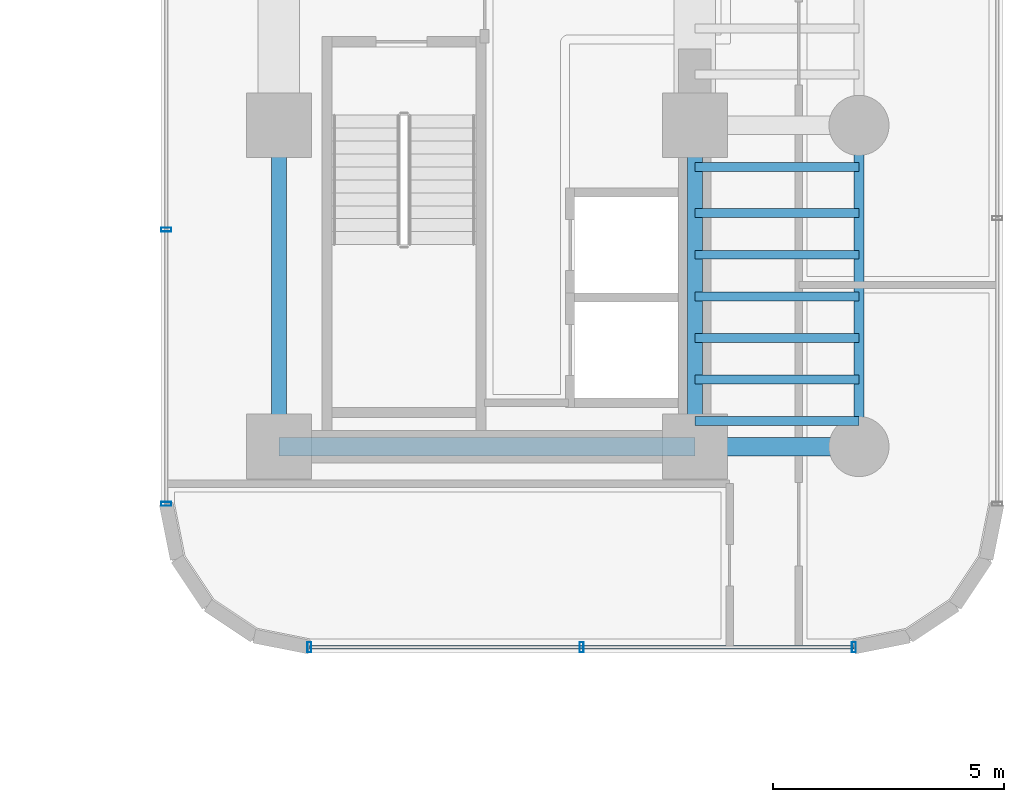
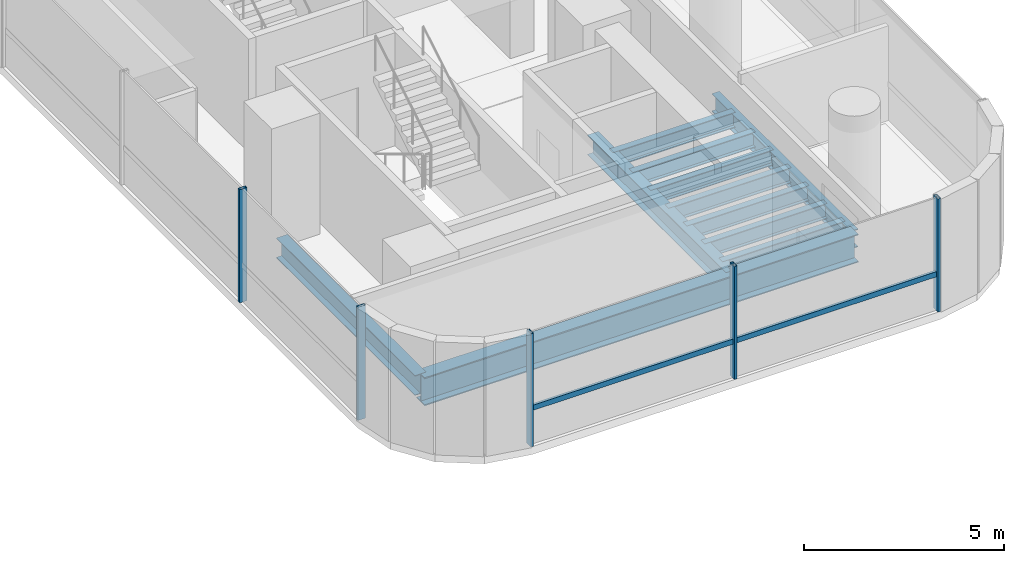
# One storey, part 12 of 39: 12 beams, 6 members, 2 elements without a shape of their own.
"""IFC4 building model written with IfcOpenShell, lengths in metres."""

from ifc_helpers import new_model, si_unit, direction, frame, origin, origin_2d, place, context, subcontext, project, spatial, hollow_rectangle, i_section, extrude, source, transform, mapped, material, material_profile, profile_set, type_object, element, aggregate, save


model = new_model("IFC4")

# Units and contexts
model_context = context("Model", 3, precision=1e-05, world=origin(), true_north=direction((0.0, 1.0)))
body_context = subcontext(model_context, "Body", "Model", "MODEL_VIEW")
ifc_project = project(units=[si_unit("LENGTHUNIT", "METRE"), si_unit("AREAUNIT", "SQUARE_METRE"), si_unit("VOLUMEUNIT", "CUBIC_METRE"), si_unit("PLANEANGLEUNIT", "RADIAN"), si_unit("MASSUNIT", "GRAM", prefix="KILO")], contexts=[model_context])

# Site, building, storey
site_placement = place(None, origin())
site = spatial("IfcSite", under=ifc_project, at=site_placement, CompositionType="ELEMENT")
building_placement = place(site_placement, origin())
building = spatial("IfcBuilding", under=site, at=building_placement, Name="Valdorenza Pilgrim Sanctuary Tower", CompositionType="ELEMENT")
storey_placement = place(building_placement, frame((0.0, 0.0, 77.800048828125)))
storey = spatial("IfcBuildingStorey", under=building, at=storey_placement, Name="L19", CompositionType="ELEMENT", Elevation=77.800048828125)

# Beams
ifc_material_1 = material(Name="Steel ASTM A992 Grade 50", Category="steel")
ifc_material_profile_1 = material_profile(ifc_material_1, i_section(OverallWidth=0.323974609375, OverallDepth=0.611083984375, WebThickness=0.0126953125, FlangeThickness=0.01904296875, at=origin_2d()), Name="W24X104")
ifc_profile_set_1 = profile_set([ifc_material_profile_1], Name="Steel ASTM A992 Grade 50")
beam_type_1 = type_object("IfcBeamType", Name="STR-BM-GRD-W24B", PredefinedType="BEAM", material=ifc_profile_set_1)
shared_shape_1 = source(origin(), body_context, "Body", "SweptSolid", [
    extrude(i_section(OverallWidth=0.323974609375, OverallDepth=0.611083984375, WebThickness=0.0126953125, FlangeThickness=0.01904296875, at=origin_2d()), origin(), (0.0, 0.0, 1.0), 6.949951171875),
])
for number, where, z_axis, x_axis, name in (
    (1, (15.85009765625, -9.550048828125, -0.545654296875), (0.0, 1.0, 0.0), (-1.0, 0.0, 0.0), "L19 Core Tie Girder CB-W-S1M0"),
    (2, (24.85009765625, -9.550048828125, -0.545654296875), (0.0, 1.0, 0.0), (-1.0, 0.0, 0.0), "L19 Core Tie Girder CB-E-S1M0"),
):
    element("IfcBeam", number, at=place(storey_placement, frame(where, z_axis=z_axis, x_axis=x_axis)), inside=storey, type_object=beam_type_1, Name=name, PredefinedType="BEAM", context=body_context, shape_type="MappedRepresentation", body=[
        mapped(shared_shape_1, transform((0.0, 0.0, 0.0), x_axis=(1.0, 0.0, 0.0), y_axis=(0.0, 1.0, 0.0), z_axis=(0.0, 0.0, 1.0), scale=1.0)),
    ])
ifc_material_profile_2 = material_profile(ifc_material_1, i_section(OverallWidth=0.214111328125, OverallDepth=0.549072265625, WebThickness=0.0146484375, FlangeThickness=0.023681640625, at=origin_2d()), Name="W21X93")
ifc_profile_set_2 = profile_set([ifc_material_profile_2], Name="Steel ASTM A992 Grade 50")
beam_type_2 = type_object("IfcBeamType", Name="STR-BM-SPN-W21A", PredefinedType="SPANDREL", material=ifc_profile_set_2)
shared_shape_2 = source(origin(), body_context, "Body", "SweptSolid", [
    extrude(i_section(OverallWidth=0.214111328125, OverallDepth=0.549072265625, WebThickness=0.0146484375, FlangeThickness=0.023681640625, at=origin_2d()), origin(), (0.0, 0.0, 1.0), 6.949951171875),
])
beam_1_placement = place(storey_placement, frame((28.39990234375, -9.550048828125, -0.5146484375), z_axis=(0.0, 1.0, 0.0), x_axis=(-1.0, 0.0, 0.0)))
element("IfcBeam", 3, at=beam_1_placement, inside=storey, type_object=beam_type_2, Name="L19 Spandrel Beam WB-E-S1M0", PredefinedType="SPANDREL", context=body_context, shape_type="MappedRepresentation", body=[
    mapped(shared_shape_2, transform((0.0, 0.0, 0.0), x_axis=(1.0, 0.0, 0.0), y_axis=(0.0, 1.0, 0.0), z_axis=(0.0, 0.0, 1.0), scale=1.0)),
])
ifc_material_profile_3 = material_profile(ifc_material_1, i_section(OverallWidth=0.193115234375, OverallDepth=0.466064453125, WebThickness=0.011474609375, FlangeThickness=0.01904296875, at=origin_2d()), Name="W18X65")
ifc_profile_set_3 = profile_set([ifc_material_profile_3], Name="Steel ASTM A992 Grade 50")
beam_type_3 = type_object("IfcBeamType", Name="STR-BM-JST-W18A", PredefinedType="JOIST", material=ifc_profile_set_3)
shared_shape_3 = source(origin(), body_context, "Body", "SweptSolid", [
    extrude(i_section(OverallWidth=0.193115234375, OverallDepth=0.466064453125, WebThickness=0.011474609375, FlangeThickness=0.01904296875, at=origin_2d()), origin(), (0.0, 0.0, 1.0), 3.5498046875),
])
for number, where, z_axis, x_axis, name in (
    (4, (24.85009765625, -9.0, -0.47314453125), (1.0, 0.0, 0.0), (0.0, 1.0, 0.0), "L19 Composite Floor Joist JST-WB-1"),
    (5, (24.85009765625, -8.10009765625, -0.47314453125), (1.0, 0.0, 0.0), (0.0, 1.0, 0.0), "L19 Composite Floor Joist JST-WB-2"),
    (6, (24.85009765625, -7.199951171875, -0.47314453125), (1.0, 0.0, 0.0), (0.0, 1.0, 0.0), "L19 Composite Floor Joist JST-WB-3"),
    (7, (24.85009765625, -6.300048828125, -0.47314453125), (1.0, 0.0, 0.0), (0.0, 1.0, 0.0), "L19 Composite Floor Joist JST-WB-4"),
    (8, (24.85009765625, -5.39990234375, -0.47314453125), (1.0, 0.0, 0.0), (0.0, 1.0, 0.0), "L19 Composite Floor Joist JST-WB-5"),
    (9, (24.85009765625, -4.5, -0.47314453125), (1.0, 0.0, 0.0), (0.0, 1.0, 0.0), "L19 Composite Floor Joist JST-WB-6"),
    (10, (24.85009765625, -3.5, -0.47314453125), (1.0, 0.0, 0.0), (0.0, 1.0, 0.0), "L19 Composite Floor Joist JST-WB-7"),
):
    element("IfcBeam", number, at=place(storey_placement, frame(where, z_axis=z_axis, x_axis=x_axis)), inside=storey, type_object=beam_type_3, Name=name, PredefinedType="JOIST", context=body_context, shape_type="MappedRepresentation", body=[
        mapped(shared_shape_3, transform((0.0, 0.0, 0.0), x_axis=(1.0, 0.0, 0.0), y_axis=(0.0, 1.0, 0.0), z_axis=(0.0, 0.0, 1.0), scale=1.0)),
    ])
ifc_material_profile_4 = material_profile(ifc_material_1, i_section(OverallWidth=0.39990234375, OverallDepth=0.862060546875, WebThickness=0.019775390625, FlangeThickness=0.032470703125, at=origin_2d()), Name="W33X221")
ifc_profile_set_4 = profile_set([ifc_material_profile_4], Name="Steel ASTM A992 Grade 50")
beam_type_4 = type_object("IfcBeamType", Name="STR-BM-GRD-W33", PredefinedType="BEAM", material=ifc_profile_set_4)
shared_shape_4 = source(origin(), body_context, "Body", "SweptSolid", [
    extrude(i_section(OverallWidth=0.39990234375, OverallDepth=0.862060546875, WebThickness=0.019775390625, FlangeThickness=0.032470703125, at=origin_2d()), origin(), (0.0, 0.0, 1.0), 9.0),
])
beam_2_placement = place(storey_placement, frame((15.85009765625, -9.550048828125, -0.671142578125), z_axis=(1.0, 0.0, 0.0), x_axis=(0.0, 1.0, 0.0)))
element("IfcBeam", 11, at=beam_2_placement, inside=storey, type_object=beam_type_4, Name="L19 Floor Girder CB-XC-S1", PredefinedType="BEAM", context=body_context, shape_type="MappedRepresentation", body=[
    mapped(shared_shape_4, transform((0.0, 0.0, 0.0), x_axis=(1.0, 0.0, 0.0), y_axis=(0.0, 1.0, 0.0), z_axis=(0.0, 0.0, 1.0), scale=1.0)),
])
shared_shape_5 = source(origin(), body_context, "Body", "SweptSolid", [
    extrude(i_section(OverallWidth=0.39990234375, OverallDepth=0.862060546875, WebThickness=0.019775390625, FlangeThickness=0.032470703125, at=origin_2d()), origin(), (0.0, 0.0, 1.0), 3.5498046875),
])
beam_3_placement = place(storey_placement, frame((24.85009765625, -9.550048828125, -0.671142578125), z_axis=(1.0, 0.0, 0.0), x_axis=(0.0, 1.0, 0.0)))
element("IfcBeam", 12, at=beam_3_placement, inside=storey, type_object=beam_type_4, Name="L19 Floor Girder WB-XE-S1", PredefinedType="BEAM", context=body_context, shape_type="MappedRepresentation", body=[
    mapped(shared_shape_5, transform((0.0, 0.0, 0.0), x_axis=(1.0, 0.0, 0.0), y_axis=(0.0, 1.0, 0.0), z_axis=(0.0, 0.0, 1.0), scale=1.0)),
])

# Curtain wall, members
ifc_material_2 = material(Name="Curtain-wall IGU glazing", Category="glass")
curtain_wall_type = type_object("IfcCurtainWallType", Name="CW-SYS-03", PredefinedType="NOTDEFINED", material=ifc_material_2)
curtain_wall_1_placement = place(storey_placement, origin())
curtain_wall_1 = element("IfcCurtainWall", 13, at=curtain_wall_1_placement, inside=storey, type_object=curtain_wall_type, Name="L19 Curtain Wall CW-L19-1-26", PredefinedType="NOTDEFINED")
ifc_material_3 = material(Name="Anodised aluminium AW-6060", Category="aluminium")
ifc_material_profile_5 = material_profile(ifc_material_3, hollow_rectangle(XDim=0.0849609375, YDim=0.219970703125, WallThickness=0.0048828125, at=origin_2d()), Name="ALU-M 220x85x5")
ifc_profile_set_5 = profile_set([ifc_material_profile_5], Name="Anodised aluminium AW-6060")
member_type_1 = type_object("IfcMemberType", Name="CW-MUL-03", PredefinedType="MULLION", material=ifc_profile_set_5)
shared_shape_6 = source(origin(), body_context, "Body", "SweptSolid", [
    extrude(hollow_rectangle(XDim=0.0849609375, YDim=0.219970703125, WallThickness=0.0048828125, at=origin_2d()), origin(), (0.0, 0.0, 1.0), 3.4599609375),
])
member_1_placement = place(storey_placement, frame((28.289306640625, -13.889892578125, 0.0), z_axis=(0.0, 0.0, 1.0), x_axis=(-1.0, 0.0, 0.0)))
member_1 = element("IfcMember", 14, at=member_1_placement, type_object=member_type_1, Name="CW-L19-1-26 Mullion 1", PredefinedType="MULLION", context=body_context, shape_type="MappedRepresentation", body=[
    mapped(shared_shape_6, transform((0.0, 0.0, 0.0), x_axis=(1.0, 0.0, 0.0), y_axis=(0.0, 1.0, 0.0), z_axis=(0.0, 0.0, 1.0), scale=1.0)),
])
member_2_placement = place(storey_placement, frame((22.39990234375, -13.889892578125, 0.0), z_axis=(0.0, 0.0, 1.0), x_axis=(-1.0, 0.0, 0.0)))
member_2 = element("IfcMember", 15, at=member_2_placement, type_object=member_type_1, Name="CW-L19-1-26 Mullion 2", PredefinedType="MULLION", context=body_context, shape_type="MappedRepresentation", body=[
    mapped(shared_shape_6, transform((0.0, 0.0, 0.0), x_axis=(1.0, 0.0, 0.0), y_axis=(0.0, 1.0, 0.0), z_axis=(0.0, 0.0, 1.0), scale=1.0)),
])
member_3_placement = place(storey_placement, frame((16.5107421875, -13.889892578125, 0.0), z_axis=(0.0, 0.0, 1.0), x_axis=(-1.0, 0.0, 0.0)))
member_3 = element("IfcMember", 16, at=member_3_placement, type_object=member_type_1, Name="CW-L19-1-26 Mullion 3", PredefinedType="MULLION", context=body_context, shape_type="MappedRepresentation", body=[
    mapped(shared_shape_6, transform((0.0, 0.0, 0.0), x_axis=(1.0, 0.0, 0.0), y_axis=(0.0, 1.0, 0.0), z_axis=(0.0, 0.0, 1.0), scale=1.0)),
])

curtain_wall_2_placement = place(storey_placement, origin())
curtain_wall_2 = element("IfcCurtainWall", 17, at=curtain_wall_2_placement, inside=storey, type_object=curtain_wall_type, Name="L19 Curtain Wall CW-L19-1-31", PredefinedType="NOTDEFINED")
member_4_placement = place(storey_placement, frame((13.409912109375, -10.789306640625, 0.0), z_axis=(0.0, 0.0, 1.0), x_axis=(0.0, 1.0, 0.0)))
member_4 = element("IfcMember", 18, at=member_4_placement, type_object=member_type_1, Name="CW-L19-1-31 Mullion 1", PredefinedType="MULLION", context=body_context, shape_type="MappedRepresentation", body=[
    mapped(shared_shape_6, transform((0.0, 0.0, 0.0), x_axis=(1.0, 0.0, 0.0), y_axis=(0.0, 1.0, 0.0), z_axis=(0.0, 0.0, 1.0), scale=1.0)),
])
member_5_placement = place(storey_placement, frame((13.409912109375, -4.85595703125, 0.0), z_axis=(0.0, 0.0, 1.0), x_axis=(0.0, 1.0, 0.0)))
member_5 = element("IfcMember", 19, at=member_5_placement, type_object=member_type_1, Name="CW-L19-1-31 Mullion 2", PredefinedType="MULLION", context=body_context, shape_type="MappedRepresentation", body=[
    mapped(shared_shape_6, transform((0.0, 0.0, 0.0), x_axis=(1.0, 0.0, 0.0), y_axis=(0.0, 1.0, 0.0), z_axis=(0.0, 0.0, 1.0), scale=1.0)),
])
aggregate(curtain_wall_2, [member_4, member_5])

# Member
ifc_material_profile_6 = material_profile(ifc_material_3, hollow_rectangle(XDim=0.074951171875, YDim=0.159912109375, WallThickness=0.00390625, at=origin_2d()), Name="ALU-T 160x75x4")
ifc_profile_set_6 = profile_set([ifc_material_profile_6], Name="Anodised aluminium AW-6060")
member_type_2 = type_object("IfcMemberType", Name="CW-TRN-03", PredefinedType="USERDEFINED", material=ifc_profile_set_6)
shared_shape_7 = source(origin(), body_context, "Body", "SweptSolid", [
    extrude(hollow_rectangle(XDim=0.074951171875, YDim=0.159912109375, WallThickness=0.00390625, at=origin_2d()), origin(), (0.0, 0.0, 1.0), 11.778564453125),
])
member_6_placement = place(storey_placement, frame((28.289306640625, -13.889892578125, 1.119873046875), z_axis=(-1.0, 0.0, 0.0), x_axis=(0.0, -1.0, 0.0)))
member_6 = element("IfcMember", 20, at=member_6_placement, type_object=member_type_2, Name="CW-L19-1-26 Transom 1", ObjectType="TRANSOM", PredefinedType="USERDEFINED", context=body_context, shape_type="MappedRepresentation", body=[
    mapped(shared_shape_7, transform((0.0, 0.0, 0.0), x_axis=(1.0, 0.0, 0.0), y_axis=(0.0, 1.0, 0.0), z_axis=(0.0, 0.0, 1.0), scale=1.0)),
])

aggregate(curtain_wall_1, [member_1, member_2, member_3, member_6])

save(model, "model.ifc")
